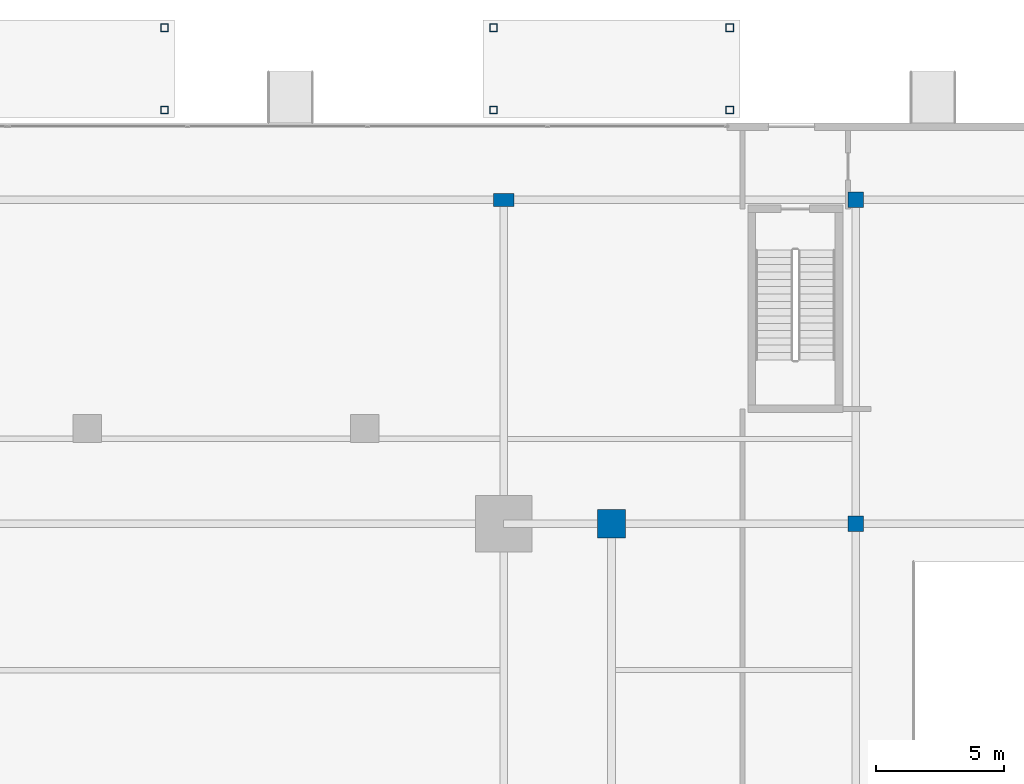
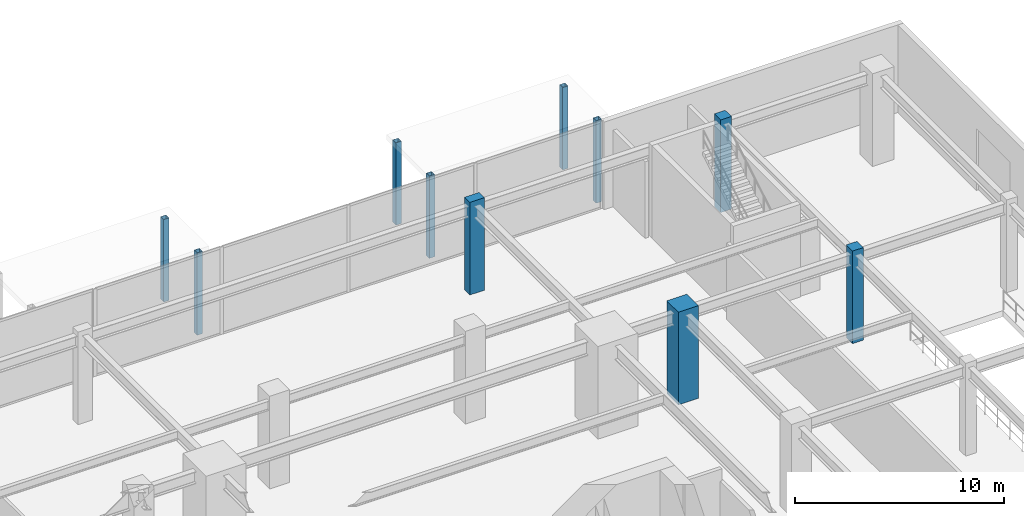
# One storey, part 4 of 28: 10 columns.
"""IFC4 building model written with IfcOpenShell, lengths in metres."""

from ifc_helpers import new_model, si_unit, direction, frame, origin, origin_2d, place, context, subcontext, project, spatial, rectangle, hollow_rectangle, extrude, source, transform, mapped, material, material_profile, profile_set, type_object, type_shapes, element, save


model = new_model("IFC4")

# Units and contexts
model_context = context("Model", 3, precision=1e-05, world=origin(), true_north=direction((0.0, 1.0)))
body_context = subcontext(model_context, "Body", "Model", "MODEL_VIEW")
ifc_project = project(units=[si_unit("LENGTHUNIT", "METRE"), si_unit("AREAUNIT", "SQUARE_METRE"), si_unit("VOLUMEUNIT", "CUBIC_METRE"), si_unit("PLANEANGLEUNIT", "RADIAN"), si_unit("MASSUNIT", "GRAM", prefix="KILO")], contexts=[model_context])

# Site, building, storey
site_placement = place(None, origin())
site = spatial("IfcSite", under=ifc_project, at=site_placement, CompositionType="ELEMENT")
building_placement = place(site_placement, origin())
building = spatial("IfcBuilding", under=site, at=building_placement, Name="Krantzveldt Concourse Tower", CompositionType="ELEMENT")
storey_placement = place(building_placement, origin())
storey = spatial("IfcBuildingStorey", under=building, at=storey_placement, Name="L00", CompositionType="ELEMENT", Elevation=0.0)

# Columns
ifc_material_1 = material(Name="Concrete C60/75", Category="concrete")
ifc_material_profile_1 = material_profile(ifc_material_1, rectangle(XDim=1.10009765625, YDim=1.10009765625, at=origin_2d()), Name="Concrete C60/75", Category="concrete")
ifc_profile_set_1 = profile_set([ifc_material_profile_1], Name="Concrete C60/75 - RC 1100x1100")
column_type_1 = type_object("IfcColumnType", Name="COL-C-Z1", PredefinedType="COLUMN", material=ifc_profile_set_1)
shared_shape_1 = source(origin(), body_context, "Body", "SweptSolid", [
    extrude(rectangle(XDim=1.10009765625, YDim=1.10009765625, at=origin_2d()), origin(), (0.0, 0.0, 1.0), 5.39990234375),
])
type_shapes(column_type_1, [shared_shape_1])
column_1_placement = place(storey_placement, frame((51.0, 37.5, 0.0), z_axis=(0.0, 0.0, 1.0), x_axis=(1.0, 0.0, 0.0)))
element("IfcColumn", 1, at=column_1_placement, inside=storey, type_object=column_type_1, Name="PC-R06-L00", PredefinedType="COLUMN", context=body_context, shape_type="MappedRepresentation", body=[
    mapped(shared_shape_1, transform((0.0, 0.0, 0.0), x_axis=(1.0, 0.0, 0.0), y_axis=(0.0, 1.0, 0.0), z_axis=(0.0, 0.0, 1.0), scale=1.0)),
])
ifc_material_2 = material(Name="Steel S355J2", Category="steel")
ifc_material_profile_2 = material_profile(ifc_material_2, hollow_rectangle(XDim=0.300048828125, YDim=0.300048828125, WallThickness=0.02001953125, at=origin_2d()), Name="Steel S355J2", Category="steel")
ifc_profile_set_2 = profile_set([ifc_material_profile_2], Name="Steel S355J2 - SHS 300x300x20")
column_type_2 = type_object("IfcColumnType", Name="COL-SC-CRN300", PredefinedType="COLUMN", material=ifc_profile_set_2)
shared_shape_2 = source(origin(), body_context, "Body", "SweptSolid", [
    extrude(hollow_rectangle(XDim=0.300048828125, YDim=0.300048828125, WallThickness=0.02001953125, at=origin_2d()), origin(), (0.0, 0.0, 1.0), 4.800048828125),
])
type_shapes(column_type_2, [shared_shape_2])
for number, where, z_axis, x_axis, name in (
    (2, (46.39990234375, 56.800048828125, 0.0), (0.0, 0.0, 1.0), (1.0, 0.0, 0.0), "CP-N2W"),
    (3, (55.60009765625, 56.800048828125, 0.0), (0.0, 0.0, 1.0), (1.0, 0.0, 0.0), "CP-N2E"),
    (4, (46.39990234375, 53.60009765625, 0.0), (0.0, 0.0, 1.0), (1.0, 0.0, 0.0), "CP-N2WI"),
    (5, (55.60009765625, 53.60009765625, 0.0), (0.0, 0.0, 1.0), (1.0, 0.0, 0.0), "CP-N2EI"),
    (6, (33.60009765625, 56.800048828125, 0.0), (0.0, 0.0, 1.0), (1.0, 0.0, 0.0), "CP-N3E"),
    (7, (33.60009765625, 53.60009765625, 0.0), (0.0, 0.0, 1.0), (1.0, 0.0, 0.0), "CP-N3EI"),
):
    element("IfcColumn", number, at=place(storey_placement, frame(where, z_axis=z_axis, x_axis=x_axis)), inside=storey, type_object=column_type_2, Name=name, PredefinedType="COLUMN", context=body_context, shape_type="MappedRepresentation", body=[
        mapped(shared_shape_2, transform((0.0, 0.0, 0.0), x_axis=(1.0, 0.0, 0.0), y_axis=(0.0, 1.0, 0.0), z_axis=(0.0, 0.0, 1.0), scale=1.0)),
    ])
ifc_material_3 = material(Name="Concrete C40/50", Category="concrete")
ifc_material_profile_3 = material_profile(ifc_material_3, rectangle(XDim=0.60009765625, YDim=0.60009765625, at=origin_2d()), Name="Concrete C40/50", Category="concrete")
ifc_profile_set_3 = profile_set([ifc_material_profile_3], Name="Concrete C40/50 - RC 600x600")
column_type_3 = type_object("IfcColumnType", Name="COL-C-POD", PredefinedType="COLUMN", material=ifc_profile_set_3)
shared_shape_3 = source(origin(), body_context, "Body", "SweptSolid", [
    extrude(rectangle(XDim=0.60009765625, YDim=0.60009765625, at=origin_2d()), origin(), (0.0, 0.0, 1.0), 5.39990234375),
])
type_shapes(column_type_3, [shared_shape_3])
for number, where, z_axis, x_axis, name in (
    (8, (60.5, 37.5, 0.0), (0.0, 0.0, 1.0), (1.0, 0.0, 0.0), "PC-IE3-L00"),
    (9, (60.5, 50.10009765625, 0.0), (0.0, 0.0, 1.0), (1.0, 0.0, 0.0), "PC-IE4-L00"),
):
    element("IfcColumn", number, at=place(storey_placement, frame(where, z_axis=z_axis, x_axis=x_axis)), inside=storey, type_object=column_type_3, Name=name, PredefinedType="COLUMN", context=body_context, shape_type="MappedRepresentation", body=[
        mapped(shared_shape_3, transform((0.0, 0.0, 0.0), x_axis=(1.0, 0.0, 0.0), y_axis=(0.0, 1.0, 0.0), z_axis=(0.0, 0.0, 1.0), scale=1.0)),
    ])
ifc_material_4 = material(Name="Concrete C50/60", Category="concrete")
ifc_material_profile_4 = material_profile(ifc_material_4, rectangle(XDim=0.800048828125, YDim=0.5, at=origin_2d()), Name="Concrete C50/60", Category="concrete")
ifc_profile_set_4 = profile_set([ifc_material_profile_4], Name="Concrete C50/60 - RC-PIL 800x500")
column_type_4 = type_object("IfcColumnType", Name="COL-PIL-800", PredefinedType="PILASTER", material=ifc_profile_set_4)
shared_shape_4 = source(origin(), body_context, "Body", "SweptSolid", [
    extrude(rectangle(XDim=0.800048828125, YDim=0.5, at=origin_2d()), origin(), (0.0, 0.0, 1.0), 5.39990234375),
])
type_shapes(column_type_4, [shared_shape_4])
column_2_placement = place(storey_placement, frame((46.800048828125, 50.10009765625, 0.0), z_axis=(0.0, 0.0, 1.0), x_axis=(1.0, 0.0, 0.0)))
element("IfcColumn", 10, at=column_2_placement, inside=storey, type_object=column_type_4, Name="PC-PIL4-L00", PredefinedType="PILASTER", context=body_context, shape_type="MappedRepresentation", body=[
    mapped(shared_shape_4, transform((0.0, 0.0, 0.0), x_axis=(1.0, 0.0, 0.0), y_axis=(0.0, 1.0, 0.0), z_axis=(0.0, 0.0, 1.0), scale=1.0)),
])

save(model, "model.ifc")
